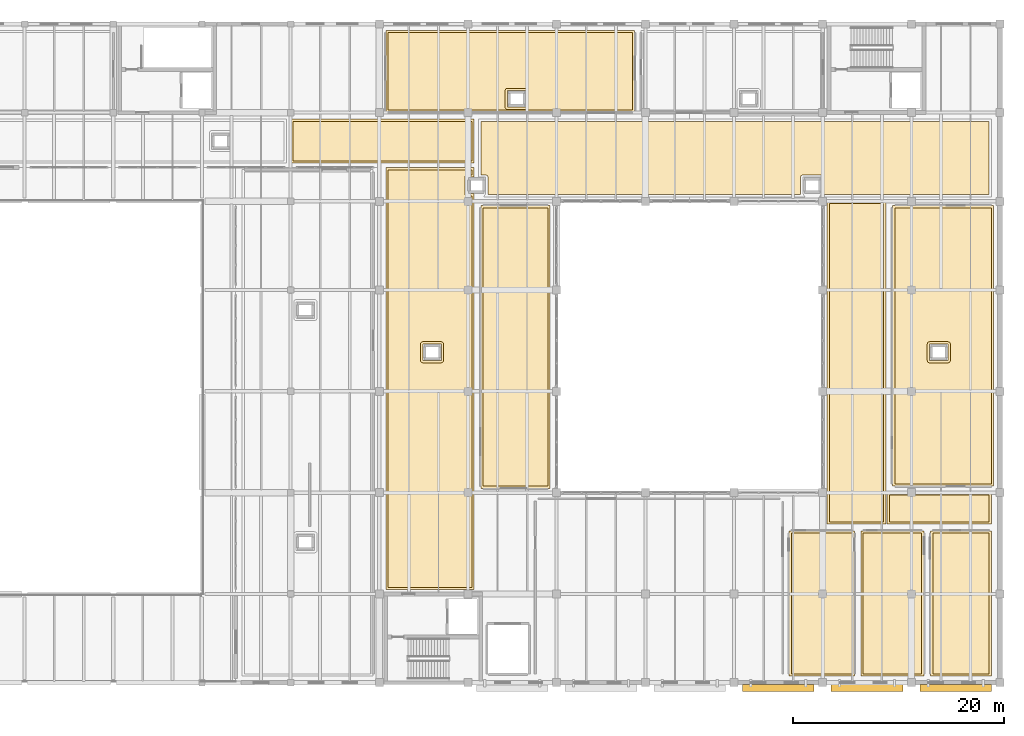
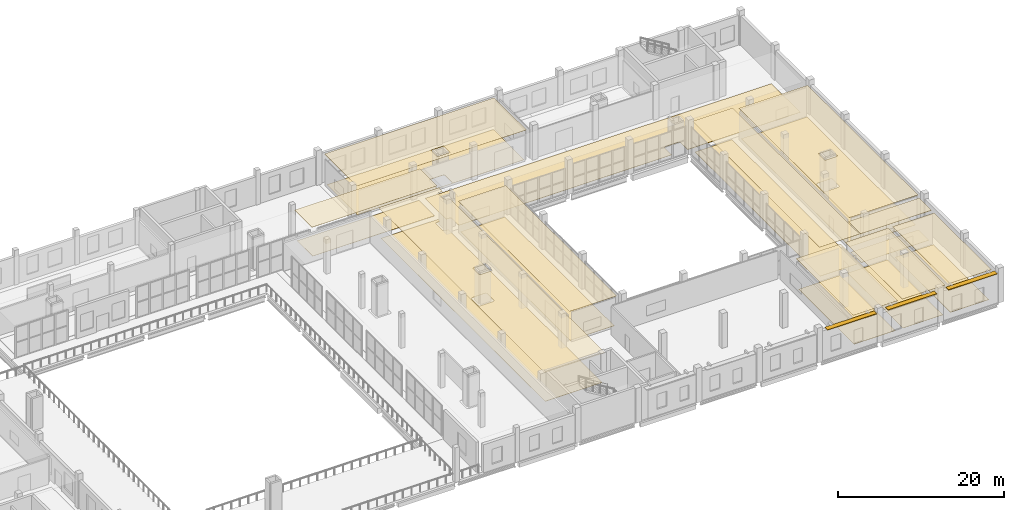
# One storey, part 75 of 77: 21 coverings, 3 shading devices.
"""IFC4 building model written with IfcOpenShell, lengths in metres."""

from ifc_helpers import new_model, si_unit, direction, frame, origin, origin_2d, place, context, subcontext, project, spatial, polyline, rectangle, outline, extrude, material, layer, layer_set, type_object, element, save


model = new_model("IFC4")

# Units and contexts
model_context = context("Model", 3, precision=1e-05, world=origin(), true_north=direction((0.0, 1.0)))
body_context = subcontext(model_context, "Body", "Model", "MODEL_VIEW")
ifc_project = project(units=[si_unit("LENGTHUNIT", "METRE"), si_unit("AREAUNIT", "SQUARE_METRE"), si_unit("VOLUMEUNIT", "CUBIC_METRE"), si_unit("PLANEANGLEUNIT", "RADIAN"), si_unit("MASSUNIT", "GRAM", prefix="KILO")], contexts=[model_context])

# Site, building, storey
site_placement = place(None, origin())
site = spatial("IfcSite", under=ifc_project, at=site_placement, CompositionType="ELEMENT")
building_placement = place(site_placement, origin())
building = spatial("IfcBuilding", under=site, at=building_placement, Name="Zulmaris Art Gallery", CompositionType="ELEMENT")
storey_placement = place(building_placement, frame((0.0, 0.0, 15.60009765625)))
storey = spatial("IfcBuildingStorey", under=building, at=storey_placement, Name="L03", CompositionType="ELEMENT", Elevation=15.60009765625)

# Coverings
ifc_material_1 = material(Name="Micro-Perforated Gypsum Acoustic Ceiling", Category="gypsum")
ifc_layer_1 = layer(ifc_material_1, 0.02490234375)
ifc_layer_set_1 = layer_set([ifc_layer_1], Name="Micro-Perforated Gypsum Acoustic Ceiling")
covering_type_1 = type_object("IfcCoveringType", Name="COV-CL01", PredefinedType="CEILING", material=ifc_layer_set_1)
covering_1_placement = place(storey_placement, frame((0.0, 0.0, 4.449951171875)))
element("IfcCovering", 1, at=covering_1_placement, inside=storey, type_object=covering_type_1, Name="L03 V4-V5 Link Concourse acoustic ceiling", PredefinedType="CEILING", context=body_context, shape_type="SweptSolid", body=[
    extrude(outline(polyline([(133.2099609375, 66.590087890625), (150.590087890625, 66.590087890625), (150.590087890625, 62.409912109375), (133.2099609375, 62.409912109375), (133.2099609375, 66.590087890625)])), origin(), (0.0, 0.0, 1.0), 0.030029296875),
])
covering_2_placement = place(storey_placement, frame((0.0, 0.0, 4.449951171875)))
element("IfcCovering", 2, at=covering_2_placement, inside=storey, type_object=covering_type_1, Name="L03 V5 West Corridor acoustic ceiling", PredefinedType="CEILING", context=body_context, shape_type="SweptSolid", body=[
    extrude(outline(polyline([(149.955322265625, 61.080078125), (149.947021484375, 61.07958984375), (149.944091796875, 61.0791015625), (149.94140625, 61.07861328125), (149.938720703125, 61.077392578125), (149.93603515625, 61.076171875), (149.93359375, 61.07470703125), (149.93115234375, 61.072998046875), (149.928955078125, 61.071044921875), (149.927001953125, 61.06884765625), (149.92529296875, 61.06640625), (149.923828125, 61.06396484375), (149.922607421875, 61.061279296875), (149.92138671875, 61.05859375), (149.9208984375, 61.055908203125), (149.92041015625, 61.052978515625), (149.919921875, 61.044677734375), (149.919921875, 59.555419921875), (149.92041015625, 59.547119140625), (149.9208984375, 59.544189453125), (149.92138671875, 59.54150390625), (149.922607421875, 59.53857421875), (149.923828125, 59.535888671875), (149.92529296875, 59.533447265625), (149.927001953125, 59.531005859375), (149.928955078125, 59.529052734375), (149.93115234375, 59.527099609375), (149.93359375, 59.525390625), (149.93603515625, 59.523681640625), (149.938720703125, 59.5224609375), (149.94140625, 59.521484375), (149.944091796875, 59.520751953125), (149.947021484375, 59.5205078125), (149.955322265625, 59.52001953125), (150.590087890625, 59.52001953125), (150.590087890625, 22.010009765625), (142.2099609375, 22.010009765625), (142.2099609375, 61.989990234375), (150.590087890625, 61.989990234375), (150.590087890625, 61.080078125), (149.955322265625, 61.080078125)]), holes=[polyline([(145.721435546875, 43.741455078125), (145.722412109375, 43.738525390625), (145.723876953125, 43.736083984375), (145.725341796875, 43.7333984375), (145.72705078125, 43.731201171875), (145.72900390625, 43.72900390625), (145.731201171875, 43.72705078125), (145.7333984375, 43.725341796875), (145.736083984375, 43.723876953125), (145.738525390625, 43.722412109375), (145.741455078125, 43.721435546875), (145.744140625, 43.720703125), (145.7470703125, 43.720458984375), (145.75537109375, 43.719970703125), (147.444580078125, 43.719970703125), (147.452880859375, 43.720458984375), (147.455810546875, 43.720703125), (147.45849609375, 43.721435546875), (147.46142578125, 43.722412109375), (147.464111328125, 43.723876953125), (147.466552734375, 43.725341796875), (147.468994140625, 43.72705078125), (147.470947265625, 43.72900390625), (147.472900390625, 43.731201171875), (147.474609375, 43.7333984375), (147.476318359375, 43.736083984375), (147.4775390625, 43.738525390625), (147.478515625, 43.741455078125), (147.479248046875, 43.744140625), (147.4794921875, 43.7470703125), (147.47998046875, 43.75537109375), (147.47998046875, 45.24462890625), (147.4794921875, 45.2529296875), (147.479248046875, 45.255859375), (147.478515625, 45.258544921875), (147.4775390625, 45.261474609375), (147.476318359375, 45.263916015625), (147.474609375, 45.2666015625), (147.472900390625, 45.268798828125), (147.470947265625, 45.27099609375), (147.468994140625, 45.27294921875), (147.466552734375, 45.274658203125), (147.464111328125, 45.276123046875), (147.46142578125, 45.277587890625), (147.45849609375, 45.278564453125), (147.455810546875, 45.279296875), (147.452880859375, 45.279541015625), (147.444580078125, 45.280029296875), (145.75537109375, 45.280029296875), (145.7470703125, 45.279541015625), (145.744140625, 45.279296875), (145.741455078125, 45.278564453125), (145.738525390625, 45.277587890625), (145.736083984375, 45.276123046875), (145.7333984375, 45.274658203125), (145.731201171875, 45.27294921875), (145.72900390625, 45.27099609375), (145.72705078125, 45.268798828125), (145.725341796875, 45.2666015625), (145.723876953125, 45.263916015625), (145.722412109375, 45.261474609375), (145.721435546875, 45.258544921875), (145.720703125, 45.255859375), (145.720458984375, 45.2529296875), (145.719970703125, 45.24462890625), (145.719970703125, 43.75537109375), (145.720458984375, 43.7470703125), (145.720703125, 43.744140625), (145.721435546875, 43.741455078125)])]), origin(), (0.0, 0.0, 1.0), 0.030029296875),
])
covering_3_placement = place(storey_placement, frame((0.0, 0.0, 4.449951171875)))
element("IfcCovering", 3, at=covering_3_placement, inside=storey, type_object=covering_type_1, Name="Paper & Textile Conservation Studio acoustic ceiling", PredefinedType="CEILING", context=body_context, shape_type="SweptSolid", body=[
    extrude(outline(polyline([(142.2099609375, 74.989990234375), (165.7900390625, 74.989990234375), (165.7900390625, 67.2099609375), (142.2099609375, 67.2099609375), (142.2099609375, 74.989990234375)]), holes=[polyline([(153.721435546875, 67.741455078125), (153.722412109375, 67.738525390625), (153.723876953125, 67.736083984375), (153.725341796875, 67.7333984375), (153.72705078125, 67.731201171875), (153.72900390625, 67.72900390625), (153.731201171875, 67.72705078125), (153.7333984375, 67.725341796875), (153.736083984375, 67.723876953125), (153.738525390625, 67.722412109375), (153.741455078125, 67.721435546875), (153.744140625, 67.720703125), (153.7470703125, 67.720458984375), (153.75537109375, 67.719970703125), (155.444580078125, 67.719970703125), (155.452880859375, 67.720458984375), (155.455810546875, 67.720703125), (155.45849609375, 67.721435546875), (155.46142578125, 67.722412109375), (155.464111328125, 67.723876953125), (155.466552734375, 67.725341796875), (155.468994140625, 67.72705078125), (155.470947265625, 67.72900390625), (155.472900390625, 67.731201171875), (155.474609375, 67.7333984375), (155.476318359375, 67.736083984375), (155.4775390625, 67.738525390625), (155.478515625, 67.741455078125), (155.479248046875, 67.744140625), (155.4794921875, 67.7470703125), (155.47998046875, 67.75537109375), (155.47998046875, 69.24462890625), (155.4794921875, 69.2529296875), (155.479248046875, 69.255859375), (155.478515625, 69.258544921875), (155.4775390625, 69.261474609375), (155.476318359375, 69.263916015625), (155.474609375, 69.2666015625), (155.472900390625, 69.268798828125), (155.470947265625, 69.27099609375), (155.468994140625, 69.27294921875), (155.466552734375, 69.274658203125), (155.464111328125, 69.276123046875), (155.46142578125, 69.277587890625), (155.45849609375, 69.278564453125), (155.455810546875, 69.279296875), (155.452880859375, 69.279541015625), (155.444580078125, 69.280029296875), (153.75537109375, 69.280029296875), (153.7470703125, 69.279541015625), (153.744140625, 69.279296875), (153.741455078125, 69.278564453125), (153.738525390625, 69.277587890625), (153.736083984375, 69.276123046875), (153.7333984375, 69.274658203125), (153.731201171875, 69.27294921875), (153.72900390625, 69.27099609375), (153.72705078125, 69.268798828125), (153.725341796875, 69.2666015625), (153.723876953125, 69.263916015625), (153.722412109375, 69.261474609375), (153.721435546875, 69.258544921875), (153.720703125, 69.255859375), (153.720458984375, 69.2529296875), (153.719970703125, 69.24462890625), (153.719970703125, 67.75537109375), (153.720458984375, 67.7470703125), (153.720703125, 67.744140625), (153.721435546875, 67.741455078125)])]), origin(), (0.0, 0.0, 1.0), 0.030029296875),
])
covering_4_placement = place(storey_placement, frame((0.0, 0.0, 4.449951171875)))
element("IfcCovering", 4, at=covering_4_placement, inside=storey, type_object=covering_type_1, Name="Chief Curator & Exhibition Design Suite acoustic ceiling", PredefinedType="CEILING", context=body_context, shape_type="SweptSolid", body=[
    extrude(outline(polyline([(151.2099609375, 58.389892578125), (157.7900390625, 58.389892578125), (157.7900390625, 31.610107421875), (151.2099609375, 31.610107421875), (151.2099609375, 58.389892578125)])), origin(), (0.0, 0.0, 1.0), 0.030029296875),
])
covering_5_placement = place(storey_placement, frame((0.0, 0.0, 4.449951171875)))
element("IfcCovering", 5, at=covering_5_placement, inside=storey, type_object=covering_type_1, Name="L03 V5 East Corridor acoustic ceiling", PredefinedType="CEILING", context=body_context, shape_type="SweptSolid", body=[
    extrude(outline(polyline([(184.010009765625, 58.7900390625), (189.590087890625, 58.7900390625), (189.590087890625, 28.2099609375), (184.010009765625, 28.2099609375), (184.010009765625, 58.7900390625)])), origin(), (0.0, 0.0, 1.0), 0.030029296875),
])
covering_6_placement = place(storey_placement, frame((0.0, 0.0, 4.449951171875)))
element("IfcCovering", 6, at=covering_6_placement, inside=storey, type_object=covering_type_1, Name="L03 V5 South-East WC Corridor acoustic ceiling", PredefinedType="CEILING", context=body_context, shape_type="SweptSolid", body=[
    extrude(outline(polyline([(199.590087890625, 31.18994140625), (199.590087890625, 28.2099609375), (189.7099609375, 28.2099609375), (189.7099609375, 31.18994140625), (199.590087890625, 31.18994140625)])), origin(), (0.0, 0.0, 1.0), 0.030029296875),
])
covering_7_placement = place(storey_placement, frame((0.0, 0.0, 4.449951171875)))
element("IfcCovering", 7, at=covering_7_placement, inside=storey, type_object=covering_type_1, Name="Museum Administration & Boardroom acoustic ceiling", PredefinedType="CEILING", context=body_context, shape_type="SweptSolid", body=[
    extrude(outline(polyline([(190.2099609375, 58.389892578125), (199.7900390625, 58.389892578125), (199.7900390625, 31.81005859375), (190.2099609375, 31.81005859375), (190.2099609375, 58.389892578125)]), holes=[polyline([(193.741455078125, 45.278564453125), (193.738525390625, 45.277587890625), (193.736083984375, 45.276123046875), (193.7333984375, 45.274658203125), (193.731201171875, 45.27294921875), (193.72900390625, 45.27099609375), (193.72705078125, 45.268798828125), (193.725341796875, 45.2666015625), (193.723876953125, 45.263916015625), (193.722412109375, 45.261474609375), (193.721435546875, 45.258544921875), (193.720703125, 45.255859375), (193.720458984375, 45.2529296875), (193.719970703125, 45.24462890625), (193.719970703125, 43.75537109375), (193.720458984375, 43.7470703125), (193.720703125, 43.744140625), (193.721435546875, 43.741455078125), (193.722412109375, 43.738525390625), (193.723876953125, 43.736083984375), (193.725341796875, 43.7333984375), (193.72705078125, 43.731201171875), (193.72900390625, 43.72900390625), (193.731201171875, 43.72705078125), (193.7333984375, 43.725341796875), (193.736083984375, 43.723876953125), (193.738525390625, 43.722412109375), (193.741455078125, 43.721435546875), (193.744140625, 43.720703125), (193.7470703125, 43.720458984375), (193.75537109375, 43.719970703125), (195.444580078125, 43.719970703125), (195.452880859375, 43.720458984375), (195.455810546875, 43.720703125), (195.45849609375, 43.721435546875), (195.46142578125, 43.722412109375), (195.464111328125, 43.723876953125), (195.466552734375, 43.725341796875), (195.468994140625, 43.72705078125), (195.470947265625, 43.72900390625), (195.472900390625, 43.731201171875), (195.474609375, 43.7333984375), (195.476318359375, 43.736083984375), (195.4775390625, 43.738525390625), (195.478515625, 43.741455078125), (195.479248046875, 43.744140625), (195.4794921875, 43.7470703125), (195.47998046875, 43.75537109375), (195.47998046875, 45.24462890625), (195.4794921875, 45.2529296875), (195.479248046875, 45.255859375), (195.478515625, 45.258544921875), (195.4775390625, 45.261474609375), (195.476318359375, 45.263916015625), (195.474609375, 45.2666015625), (195.472900390625, 45.268798828125), (195.470947265625, 45.27099609375), (195.468994140625, 45.27294921875), (195.466552734375, 45.274658203125), (195.464111328125, 45.276123046875), (195.46142578125, 45.277587890625), (195.45849609375, 45.278564453125), (195.455810546875, 45.279296875), (195.452880859375, 45.279541015625), (195.444580078125, 45.280029296875), (193.75537109375, 45.280029296875), (193.7470703125, 45.279541015625), (193.744140625, 45.279296875), (193.741455078125, 45.278564453125)])]), origin(), (0.0, 0.0, 1.0), 0.030029296875),
])
covering_8_placement = place(storey_placement, frame((0.0, 0.0, 4.449951171875)))
element("IfcCovering", 8, at=covering_8_placement, inside=storey, type_object=covering_type_1, Name="Level 03 Male WC acoustic ceiling", PredefinedType="CEILING", context=body_context, shape_type="SweptSolid", body=[
    extrude(outline(polyline([(180.409912109375, 27.590087890625), (186.590087890625, 27.590087890625), (186.590087890625, 13.81005859375), (180.409912109375, 13.81005859375), (180.409912109375, 27.590087890625)])), origin(), (0.0, 0.0, 1.0), 0.030029296875),
])
covering_9_placement = place(storey_placement, frame((0.0, 0.0, 4.449951171875)))
element("IfcCovering", 9, at=covering_9_placement, inside=storey, type_object=covering_type_1, Name="Level 03 Female WC acoustic ceiling", PredefinedType="CEILING", context=body_context, shape_type="SweptSolid", body=[
    extrude(outline(polyline([(187.2099609375, 27.590087890625), (193.18994140625, 27.590087890625), (193.18994140625, 13.81005859375), (187.2099609375, 13.81005859375), (187.2099609375, 27.590087890625)])), origin(), (0.0, 0.0, 1.0), 0.030029296875),
])
covering_10_placement = place(storey_placement, frame((0.0, 0.0, 4.449951171875)))
element("IfcCovering", 10, at=covering_10_placement, inside=storey, type_object=covering_type_1, Name="Level 03 Accessible WC acoustic ceiling", PredefinedType="CEILING", context=body_context, shape_type="SweptSolid", body=[
    extrude(outline(polyline([(193.81005859375, 27.590087890625), (199.590087890625, 27.590087890625), (199.590087890625, 13.81005859375), (193.81005859375, 13.81005859375), (193.81005859375, 27.590087890625)])), origin(), (0.0, 0.0, 1.0), 0.030029296875),
])
ifc_material_2 = material(Name="Honed Omani Limestone Terrazzo Flooring", Category="masonry")
ifc_layer_2 = layer(ifc_material_2, 0.0400390625)
ifc_layer_set_2 = layer_set([ifc_layer_2], Name="Honed Omani Limestone Terrazzo Flooring")
covering_type_2 = type_object("IfcCoveringType", Name="COV-FL01", PredefinedType="FLOORING", material=ifc_layer_set_2)
covering_11_placement = place(storey_placement, origin())
element("IfcCovering", 11, at=covering_11_placement, inside=storey, type_object=covering_type_2, Name="L03 V4-V5 Link Concourse finish flooring", PredefinedType="FLOORING", context=body_context, shape_type="SweptSolid", body=[
    extrude(outline(polyline([(150.3701171875, 62.6298828125), (133.429931640625, 62.6298828125), (133.429931640625, 66.3701171875), (150.3701171875, 66.3701171875), (150.3701171875, 62.6298828125)])), origin(), (0.0, 0.0, 1.0), 0.034912109375),
])
covering_12_placement = place(storey_placement, origin())
element("IfcCovering", 12, at=covering_12_placement, inside=storey, type_object=covering_type_2, Name="L03 V5 West Corridor finish flooring", PredefinedType="FLOORING", context=body_context, shape_type="SweptSolid", body=[
    extrude(outline(polyline([(150.3701171875, 61.77001953125), (150.3701171875, 61.300048828125), (149.949951171875, 61.300048828125), (149.925537109375, 61.298828125), (149.901123046875, 61.295166015625), (149.87744140625, 61.289306640625), (149.854248046875, 61.281005859375), (149.832275390625, 61.2705078125), (149.81103515625, 61.2578125), (149.79150390625, 61.243408203125), (149.773193359375, 61.226806640625), (149.756591796875, 61.20849609375), (149.7421875, 61.18896484375), (149.7294921875, 61.167724609375), (149.718994140625, 61.145751953125), (149.710693359375, 61.12255859375), (149.704833984375, 61.098876953125), (149.701171875, 61.074462890625), (149.699951171875, 61.050048828125), (149.699951171875, 59.550048828125), (149.701171875, 59.525390625), (149.704833984375, 59.501220703125), (149.710693359375, 59.477294921875), (149.718994140625, 59.454345703125), (149.7294921875, 59.43212890625), (149.7421875, 59.4111328125), (149.756591796875, 59.391357421875), (149.773193359375, 59.373291015625), (149.79150390625, 59.356689453125), (149.81103515625, 59.342041015625), (149.832275390625, 59.32958984375), (149.854248046875, 59.319091796875), (149.87744140625, 59.310791015625), (149.901123046875, 59.3046875), (149.925537109375, 59.30126953125), (149.949951171875, 59.300048828125), (150.3701171875, 59.300048828125), (150.3701171875, 22.22998046875), (142.429931640625, 22.22998046875), (142.429931640625, 61.77001953125), (150.3701171875, 61.77001953125)]), holes=[polyline([(145.501220703125, 43.7255859375), (145.5048828125, 43.701171875), (145.5107421875, 43.677490234375), (145.51904296875, 43.654296875), (145.529541015625, 43.632080078125), (145.5419921875, 43.611083984375), (145.556640625, 43.59130859375), (145.5732421875, 43.5732421875), (145.59130859375, 43.556640625), (145.611083984375, 43.5419921875), (145.632080078125, 43.529541015625), (145.654296875, 43.51904296875), (145.677490234375, 43.5107421875), (145.701171875, 43.5048828125), (145.7255859375, 43.501220703125), (145.75, 43.5), (147.449951171875, 43.5), (147.474609375, 43.501220703125), (147.498779296875, 43.5048828125), (147.522705078125, 43.5107421875), (147.545654296875, 43.51904296875), (147.56787109375, 43.529541015625), (147.5888671875, 43.5419921875), (147.608642578125, 43.556640625), (147.626708984375, 43.5732421875), (147.643310546875, 43.59130859375), (147.657958984375, 43.611083984375), (147.67041015625, 43.632080078125), (147.680908203125, 43.654296875), (147.689208984375, 43.677490234375), (147.6953125, 43.701171875), (147.69873046875, 43.7255859375), (147.699951171875, 43.75), (147.699951171875, 45.25), (147.69873046875, 45.2744140625), (147.6953125, 45.298828125), (147.689208984375, 45.322509765625), (147.680908203125, 45.345703125), (147.67041015625, 45.367919921875), (147.657958984375, 45.388916015625), (147.643310546875, 45.40869140625), (147.626708984375, 45.4267578125), (147.608642578125, 45.443359375), (147.5888671875, 45.4580078125), (147.56787109375, 45.470458984375), (147.545654296875, 45.48095703125), (147.522705078125, 45.4892578125), (147.498779296875, 45.4951171875), (147.474609375, 45.498779296875), (147.449951171875, 45.5), (145.75, 45.5), (145.7255859375, 45.498779296875), (145.701171875, 45.4951171875), (145.677490234375, 45.4892578125), (145.654296875, 45.48095703125), (145.632080078125, 45.470458984375), (145.611083984375, 45.4580078125), (145.59130859375, 45.443359375), (145.5732421875, 45.4267578125), (145.556640625, 45.40869140625), (145.5419921875, 45.388916015625), (145.529541015625, 45.367919921875), (145.51904296875, 45.345703125), (145.5107421875, 45.322509765625), (145.5048828125, 45.298828125), (145.501220703125, 45.2744140625), (145.5, 45.25), (145.5, 43.75), (145.501220703125, 43.7255859375)])]), origin(), (0.0, 0.0, 1.0), 0.034912109375),
])
covering_13_placement = place(storey_placement, origin())
element("IfcCovering", 13, at=covering_13_placement, inside=storey, type_object=covering_type_2, Name="L03 V5 North Corridor finish flooring", PredefinedType="FLOORING", context=body_context, shape_type="SweptSolid", body=[
    extrude(outline(polyline([(151.87060546875, 59.43212890625), (151.881103515625, 59.454345703125), (151.88916015625, 59.477294921875), (151.895263671875, 59.501220703125), (151.898681640625, 59.525390625), (151.89990234375, 59.550048828125), (151.89990234375, 61.050048828125), (151.898681640625, 61.074462890625), (151.895263671875, 61.098876953125), (151.88916015625, 61.12255859375), (151.881103515625, 61.145751953125), (151.87060546875, 61.167724609375), (151.85791015625, 61.18896484375), (151.84326171875, 61.20849609375), (151.826904296875, 61.226806640625), (151.80859375, 61.243408203125), (151.788818359375, 61.2578125), (151.767822265625, 61.2705078125), (151.74560546875, 61.281005859375), (151.72265625, 61.289306640625), (151.69873046875, 61.295166015625), (151.674560546875, 61.298828125), (151.64990234375, 61.300048828125), (151.22998046875, 61.300048828125), (151.22998046875, 66.3701171875), (199.3701171875, 66.3701171875), (199.3701171875, 59.429931640625), (183.669189453125, 59.429931640625), (183.67041015625, 59.43212890625), (183.680908203125, 59.454345703125), (183.689208984375, 59.477294921875), (183.6953125, 59.501220703125), (183.69873046875, 59.525390625), (183.699951171875, 59.550048828125), (183.699951171875, 61.050048828125), (183.69873046875, 61.074462890625), (183.6953125, 61.098876953125), (183.689208984375, 61.12255859375), (183.680908203125, 61.145751953125), (183.67041015625, 61.167724609375), (183.657958984375, 61.18896484375), (183.643310546875, 61.20849609375), (183.626708984375, 61.226806640625), (183.608642578125, 61.243408203125), (183.5888671875, 61.2578125), (183.56787109375, 61.2705078125), (183.545654296875, 61.281005859375), (183.522705078125, 61.289306640625), (183.498779296875, 61.295166015625), (183.474609375, 61.298828125), (183.449951171875, 61.300048828125), (181.75, 61.300048828125), (181.7255859375, 61.298828125), (181.701171875, 61.295166015625), (181.677490234375, 61.289306640625), (181.654296875, 61.281005859375), (181.632080078125, 61.2705078125), (181.611083984375, 61.2578125), (181.59130859375, 61.243408203125), (181.5732421875, 61.226806640625), (181.556640625, 61.20849609375), (181.5419921875, 61.18896484375), (181.529541015625, 61.167724609375), (181.51904296875, 61.145751953125), (181.5107421875, 61.12255859375), (181.5048828125, 61.098876953125), (181.501220703125, 61.074462890625), (181.5, 61.050048828125), (181.5, 59.550048828125), (181.501220703125, 59.525390625), (181.5048828125, 59.501220703125), (181.5107421875, 59.477294921875), (181.51904296875, 59.454345703125), (181.529541015625, 59.43212890625), (181.53076171875, 59.429931640625), (151.869140625, 59.429931640625), (151.87060546875, 59.43212890625)])), origin(), (0.0, 0.0, 1.0), 0.034912109375),
])
covering_14_placement = place(storey_placement, origin())
element("IfcCovering", 14, at=covering_14_placement, inside=storey, type_object=covering_type_2, Name="Paper & Textile Conservation Studio finish flooring", PredefinedType="FLOORING", context=body_context, shape_type="SweptSolid", body=[
    extrude(outline(polyline([(165.570068359375, 67.429931640625), (142.429931640625, 67.429931640625), (142.429931640625, 74.77001953125), (165.570068359375, 74.77001953125), (165.570068359375, 67.429931640625)]), holes=[polyline([(153.501220703125, 67.7255859375), (153.5048828125, 67.701171875), (153.5107421875, 67.677490234375), (153.51904296875, 67.654296875), (153.529541015625, 67.632080078125), (153.5419921875, 67.611083984375), (153.556640625, 67.59130859375), (153.5732421875, 67.5732421875), (153.59130859375, 67.556640625), (153.611083984375, 67.5419921875), (153.632080078125, 67.529541015625), (153.654296875, 67.51904296875), (153.677490234375, 67.5107421875), (153.701171875, 67.5048828125), (153.7255859375, 67.501220703125), (153.75, 67.5), (155.449951171875, 67.5), (155.474609375, 67.501220703125), (155.498779296875, 67.5048828125), (155.522705078125, 67.5107421875), (155.545654296875, 67.51904296875), (155.56787109375, 67.529541015625), (155.5888671875, 67.5419921875), (155.608642578125, 67.556640625), (155.626708984375, 67.5732421875), (155.643310546875, 67.59130859375), (155.657958984375, 67.611083984375), (155.67041015625, 67.632080078125), (155.680908203125, 67.654296875), (155.689208984375, 67.677490234375), (155.6953125, 67.701171875), (155.69873046875, 67.7255859375), (155.699951171875, 67.75), (155.699951171875, 69.25), (155.69873046875, 69.2744140625), (155.6953125, 69.298828125), (155.689208984375, 69.322509765625), (155.680908203125, 69.345703125), (155.67041015625, 69.367919921875), (155.657958984375, 69.388916015625), (155.643310546875, 69.40869140625), (155.626708984375, 69.4267578125), (155.608642578125, 69.443359375), (155.5888671875, 69.4580078125), (155.56787109375, 69.470458984375), (155.545654296875, 69.48095703125), (155.522705078125, 69.4892578125), (155.498779296875, 69.4951171875), (155.474609375, 69.498779296875), (155.449951171875, 69.5), (153.75, 69.5), (153.7255859375, 69.498779296875), (153.701171875, 69.4951171875), (153.677490234375, 69.4892578125), (153.654296875, 69.48095703125), (153.632080078125, 69.470458984375), (153.611083984375, 69.4580078125), (153.59130859375, 69.443359375), (153.5732421875, 69.4267578125), (153.556640625, 69.40869140625), (153.5419921875, 69.388916015625), (153.529541015625, 69.367919921875), (153.51904296875, 69.345703125), (153.5107421875, 69.322509765625), (153.5048828125, 69.298828125), (153.501220703125, 69.2744140625), (153.5, 69.25), (153.5, 67.75), (153.501220703125, 67.7255859375)])]), origin(), (0.0, 0.0, 1.0), 0.034912109375),
])
covering_15_placement = place(storey_placement, origin())
element("IfcCovering", 15, at=covering_15_placement, inside=storey, type_object=covering_type_2, Name="Chief Curator & Exhibition Design Suite finish flooring", PredefinedType="FLOORING", context=body_context, shape_type="SweptSolid", body=[
    extrude(outline(polyline([(157.570068359375, 31.830078125), (151.429931640625, 31.830078125), (151.429931640625, 58.169921875), (157.570068359375, 58.169921875), (157.570068359375, 31.830078125)])), origin(), (0.0, 0.0, 1.0), 0.034912109375),
])
covering_16_placement = place(storey_placement, origin())
element("IfcCovering", 16, at=covering_16_placement, inside=storey, type_object=covering_type_2, Name="L03 V5 East Corridor finish flooring", PredefinedType="FLOORING", context=body_context, shape_type="SweptSolid", body=[
    extrude(outline(polyline([(189.3701171875, 28.429931640625), (184.22998046875, 28.429931640625), (184.22998046875, 58.570068359375), (189.3701171875, 58.570068359375), (189.3701171875, 28.429931640625)])), origin(), (0.0, 0.0, 1.0), 0.034912109375),
])
covering_17_placement = place(storey_placement, origin())
element("IfcCovering", 17, at=covering_17_placement, inside=storey, type_object=covering_type_2, Name="L03 V5 South-East WC Corridor finish flooring", PredefinedType="FLOORING", context=body_context, shape_type="SweptSolid", body=[
    extrude(outline(polyline([(189.929931640625, 28.429931640625), (189.929931640625, 30.969970703125), (199.3701171875, 30.969970703125), (199.3701171875, 28.429931640625), (189.929931640625, 28.429931640625)])), origin(), (0.0, 0.0, 1.0), 0.034912109375),
])
covering_18_placement = place(storey_placement, origin())
element("IfcCovering", 18, at=covering_18_placement, inside=storey, type_object=covering_type_2, Name="Museum Administration & Boardroom finish flooring", PredefinedType="FLOORING", context=body_context, shape_type="SweptSolid", body=[
    extrude(outline(polyline([(199.570068359375, 32.030029296875), (190.429931640625, 32.030029296875), (190.429931640625, 58.169921875), (199.570068359375, 58.169921875), (199.570068359375, 32.030029296875)]), holes=[polyline([(193.7255859375, 45.498779296875), (193.701171875, 45.4951171875), (193.677490234375, 45.4892578125), (193.654296875, 45.48095703125), (193.632080078125, 45.470458984375), (193.611083984375, 45.4580078125), (193.59130859375, 45.443359375), (193.5732421875, 45.4267578125), (193.556640625, 45.40869140625), (193.5419921875, 45.388916015625), (193.529541015625, 45.367919921875), (193.51904296875, 45.345703125), (193.5107421875, 45.322509765625), (193.5048828125, 45.298828125), (193.501220703125, 45.2744140625), (193.5, 45.25), (193.5, 43.75), (193.501220703125, 43.7255859375), (193.5048828125, 43.701171875), (193.5107421875, 43.677490234375), (193.51904296875, 43.654296875), (193.529541015625, 43.632080078125), (193.5419921875, 43.611083984375), (193.556640625, 43.59130859375), (193.5732421875, 43.5732421875), (193.59130859375, 43.556640625), (193.611083984375, 43.5419921875), (193.632080078125, 43.529541015625), (193.654296875, 43.51904296875), (193.677490234375, 43.5107421875), (193.701171875, 43.5048828125), (193.7255859375, 43.501220703125), (193.75, 43.5), (195.449951171875, 43.5), (195.474609375, 43.501220703125), (195.498779296875, 43.5048828125), (195.522705078125, 43.5107421875), (195.545654296875, 43.51904296875), (195.56787109375, 43.529541015625), (195.5888671875, 43.5419921875), (195.608642578125, 43.556640625), (195.626708984375, 43.5732421875), (195.643310546875, 43.59130859375), (195.657958984375, 43.611083984375), (195.67041015625, 43.632080078125), (195.680908203125, 43.654296875), (195.689208984375, 43.677490234375), (195.6953125, 43.701171875), (195.69873046875, 43.7255859375), (195.699951171875, 43.75), (195.699951171875, 45.25), (195.69873046875, 45.2744140625), (195.6953125, 45.298828125), (195.689208984375, 45.322509765625), (195.680908203125, 45.345703125), (195.67041015625, 45.367919921875), (195.657958984375, 45.388916015625), (195.643310546875, 45.40869140625), (195.626708984375, 45.4267578125), (195.608642578125, 45.443359375), (195.5888671875, 45.4580078125), (195.56787109375, 45.470458984375), (195.545654296875, 45.48095703125), (195.522705078125, 45.4892578125), (195.498779296875, 45.4951171875), (195.474609375, 45.498779296875), (195.449951171875, 45.5), (193.75, 45.5), (193.7255859375, 45.498779296875)])]), origin(), (0.0, 0.0, 1.0), 0.034912109375),
])
covering_19_placement = place(storey_placement, origin())
element("IfcCovering", 19, at=covering_19_placement, inside=storey, type_object=covering_type_2, Name="Level 03 Male WC finish flooring", PredefinedType="FLOORING", context=body_context, shape_type="SweptSolid", body=[
    extrude(outline(polyline([(186.3701171875, 14.030029296875), (180.6298828125, 14.030029296875), (180.6298828125, 27.3701171875), (186.3701171875, 27.3701171875), (186.3701171875, 14.030029296875)])), origin(), (0.0, 0.0, 1.0), 0.034912109375),
])
covering_20_placement = place(storey_placement, origin())
element("IfcCovering", 20, at=covering_20_placement, inside=storey, type_object=covering_type_2, Name="Level 03 Female WC finish flooring", PredefinedType="FLOORING", context=body_context, shape_type="SweptSolid", body=[
    extrude(outline(polyline([(192.969970703125, 14.030029296875), (187.429931640625, 14.030029296875), (187.429931640625, 27.3701171875), (192.969970703125, 27.3701171875), (192.969970703125, 14.030029296875)])), origin(), (0.0, 0.0, 1.0), 0.034912109375),
])
covering_21_placement = place(storey_placement, origin())
element("IfcCovering", 21, at=covering_21_placement, inside=storey, type_object=covering_type_2, Name="Level 03 Accessible WC finish flooring", PredefinedType="FLOORING", context=body_context, shape_type="SweptSolid", body=[
    extrude(outline(polyline([(199.3701171875, 14.030029296875), (194.030029296875, 14.030029296875), (194.030029296875, 27.3701171875), (199.3701171875, 27.3701171875), (199.3701171875, 14.030029296875)])), origin(), (0.0, 0.0, 1.0), 0.034912109375),
])

# Shading devices
ifc_material_3 = material(Name="Anodised Bronze Sunshade Louvre", Category="aluminium")
ifc_layer_3 = layer(ifc_material_3, 0.080078125)
ifc_layer_set_3 = layer_set([ifc_layer_3], Name="Anodised Bronze Sunshade Louvre")
shading_device_type = type_object("IfcShadingDeviceType", Name="SHD-03", PredefinedType="JALOUSIE", material=ifc_layer_set_3)
for number, where, z_axis, x_axis, name in (
    (22, (179.39990234375, 12.679931640625, 4.7099609375), (0.0, 0.0, 1.0), (1.0, 0.0, 0.0), "L03 South facade bronze solar louvre 4"),
    (23, (187.800048828125, 12.679931640625, 4.7099609375), (0.0, 0.0, 1.0), (1.0, 0.0, 0.0), "L03 South facade bronze solar louvre 5"),
    (24, (196.199951171875, 12.679931640625, 4.7099609375), (0.0, 0.0, 1.0), (1.0, 0.0, 0.0), "L03 South facade bronze solar louvre 6"),
):
    element("IfcShadingDevice", number, at=place(storey_placement, frame(where, z_axis=z_axis, x_axis=x_axis)), inside=storey, type_object=shading_device_type, Name=name, PredefinedType="JALOUSIE", context=body_context, shape_type="SweptSolid", body=[
        extrude(rectangle(XDim=6.800048828125, YDim=0.64990234375, at=origin_2d()), origin(), (0.0, 0.0, 1.0), 0.080078125),
    ])

save(model, "model.ifc")
